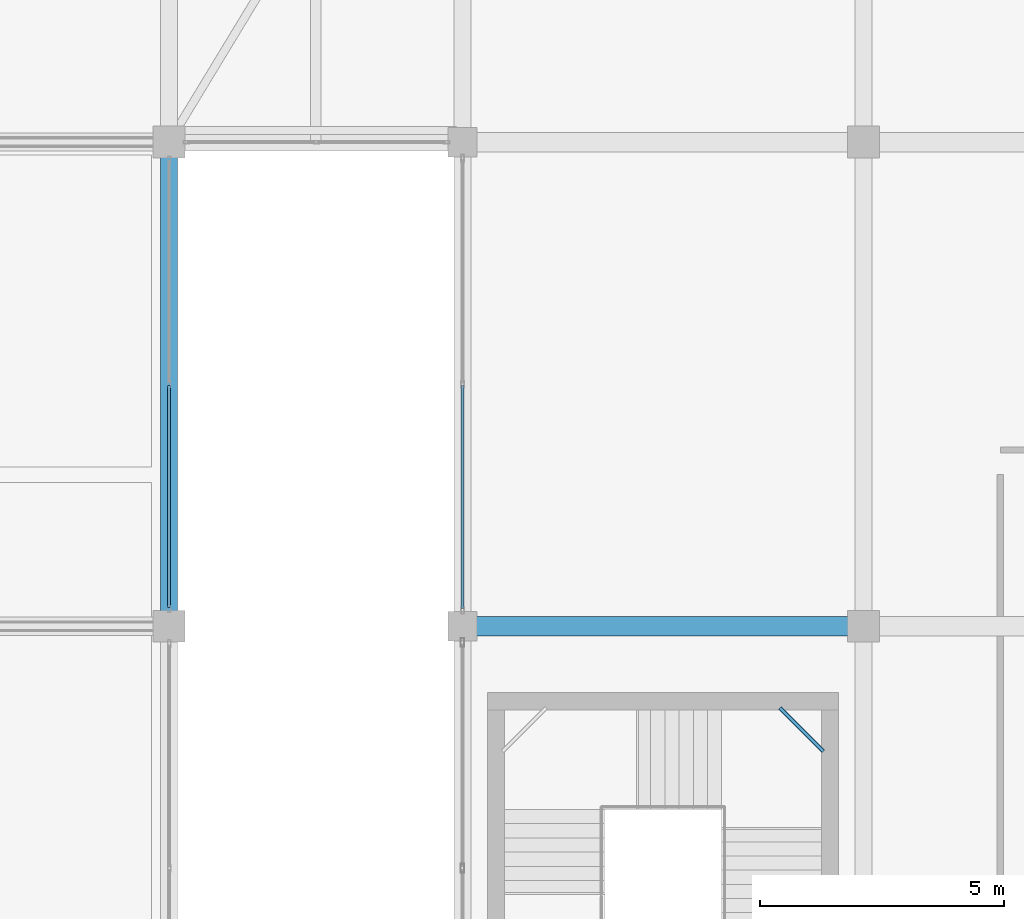
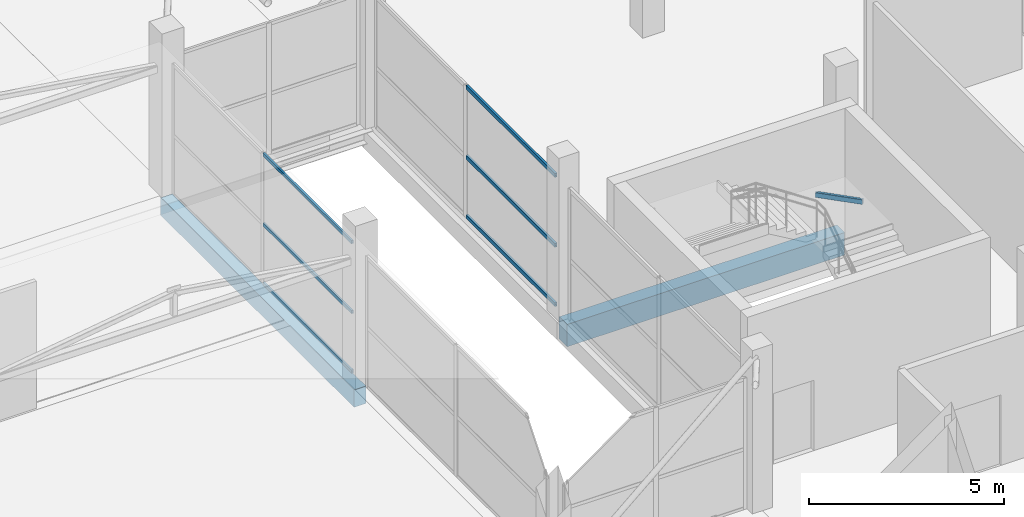
# One storey, part 27 of 58: 6 members, 3 beams, 2 elements without a shape of their own.
"""IFC4 building model written with IfcOpenShell, lengths in metres."""

from ifc_helpers import new_model, si_unit, direction, frame, origin, origin_2d, place, context, subcontext, project, spatial, rectangle, hollow_rectangle, extrude, material, layer, layer_set, material_profile, profile_set, type_object, element, aggregate, save


model = new_model("IFC4")

# Units and contexts
model_context = context("Model", 3, precision=1e-05, world=origin(), true_north=direction((0.0, 1.0)))
body_context = subcontext(model_context, "Body", "Model", "MODEL_VIEW")
ifc_project = project(units=[si_unit("LENGTHUNIT", "METRE"), si_unit("AREAUNIT", "SQUARE_METRE"), si_unit("VOLUMEUNIT", "CUBIC_METRE"), si_unit("PLANEANGLEUNIT", "RADIAN"), si_unit("MASSUNIT", "GRAM", prefix="KILO")], contexts=[model_context])

# Site, building, storey
site_placement = place(None, origin())
site = spatial("IfcSite", under=ifc_project, at=site_placement, CompositionType="ELEMENT")
building_placement = place(site_placement, origin())
building = spatial("IfcBuilding", under=site, at=building_placement, Name="Sillaruma Civic Art Gallery", CompositionType="ELEMENT")
storey_placement = place(building_placement, frame((0.0, 0.0, 52.02001953125)))
storey = spatial("IfcBuildingStorey", under=building, at=storey_placement, Name="L10", CompositionType="ELEMENT", Elevation=52.02001953125)

# Beams
ifc_material_1 = material(Name="Concrete H35 (35 MPa)", Category="concrete")
ifc_material_profile_1 = material_profile(ifc_material_1, rectangle(XDim=0.39990234375, YDim=0.699951171875, at=origin_2d()), Name="RCB400x700")
ifc_profile_set_1 = profile_set([ifc_material_profile_1], Name="Concrete H35 (35 MPa)")
beam_type_1 = type_object("IfcBeamType", Name="BM-BEAM-RCB400x700", PredefinedType="BEAM", material=ifc_profile_set_1)
beam_1_placement = place(storey_placement, frame((98.0, 59.39990234375, -0.60009765625), z_axis=(1.0, 0.0, 0.0), x_axis=(0.0, 1.0, 0.0)))
element("IfcBeam", 1, at=beam_1_placement, inside=storey, type_object=beam_type_1, Name="Beam BM-04 (L09:7:L-M)", PredefinedType="BEAM", context=body_context, shape_type="SweptSolid", body=[
    extrude(rectangle(XDim=0.39990234375, YDim=0.699951171875, at=origin_2d()), origin(), (0.0, 0.0, 1.0), 8.199951171875),
])
ifc_material_2 = material(Name="Structural Steel ASTM A500 Gr.C", Category="steel")
ifc_material_profile_2 = material_profile(ifc_material_2, hollow_rectangle(XDim=0.080078125, YDim=0.159912109375, WallThickness=0.008056640625, InnerFilletRadius=0.008056640625, OuterFilletRadius=0.01611328125, at=origin_2d()), Name="HSS160x80x8")
ifc_profile_set_2 = profile_set([ifc_material_profile_2], Name="Structural Steel ASTM A500 Gr.C")
beam_type_2 = type_object("IfcBeamType", Name="BM-LND-HSS160", PredefinedType="BEAM", material=ifc_profile_set_2)
beam_2_placement = place(storey_placement, frame((104.489990234375, 57.72998046875, 2.43994140625), z_axis=(0.707106781187, -0.707106781187, 0.0), x_axis=(0.707106781187, 0.707106781187, 0.0)))
element("IfcBeam", 2, at=beam_2_placement, inside=storey, type_object=beam_type_2, Name="Stair Corner Landing Trimmer Beam (ST-04-L10-2)", PredefinedType="BEAM", context=body_context, shape_type="SweptSolid", body=[
    extrude(hollow_rectangle(XDim=0.080078125, YDim=0.159912109375, WallThickness=0.008056640625, InnerFilletRadius=0.008056640625, OuterFilletRadius=0.01611328125, at=origin_2d()), origin(), (0.0, 0.0, 1.0), 1.258544921875),
])
ifc_material_profile_3 = material_profile(ifc_material_1, rectangle(XDim=0.35009765625, YDim=0.550048828125, at=origin_2d()), Name="RCB350x550")
ifc_profile_set_3 = profile_set([ifc_material_profile_3], Name="Concrete H35 (35 MPa)")
beam_type_3 = type_object("IfcBeamType", Name="BM-SPANDREL-RCB350x550", PredefinedType="SPANDREL", material=ifc_profile_set_3)
beam_3_placement = place(storey_placement, frame((92.0, 59.39990234375, -0.52490234375), z_axis=(0.0, 1.0, 0.0), x_axis=(-1.0, 0.0, 0.0)))
element("IfcBeam", 3, at=beam_3_placement, inside=storey, type_object=beam_type_3, Name="Beam BS-04 (L09:K:7-8)", PredefinedType="SPANDREL", context=body_context, shape_type="SweptSolid", body=[
    extrude(rectangle(XDim=0.35009765625, YDim=0.550048828125, at=origin_2d()), origin(), (0.0, 0.0, 1.0), 9.900146484375),
])

# Curtain wall, members
ifc_material_3 = material(Name="Thermally Broken Extruded Aluminium 6063-T6", Category="aluminium")
ifc_layer_1 = layer(ifc_material_3, 0.139892578125, Name="Thermally Broken Extruded Aluminium 6063-T6")
ifc_layer_set_1 = layer_set([ifc_layer_1], Name="Thermally Broken Extruded Aluminium 6063-T6")
curtain_wall_type_1 = type_object("IfcCurtainWallType", Name="CW-UNI-71", PredefinedType="NOTDEFINED", material=ifc_layer_set_1)
curtain_wall_1_placement = place(storey_placement, origin())
curtain_wall_1 = element("IfcCurtainWall", 4, at=curtain_wall_1_placement, inside=storey, type_object=curtain_wall_type_1, Name="Unitised Curtain Wall CW-71 (CW-L10-WBE-5)", PredefinedType="NOTDEFINED")
ifc_material_profile_4 = material_profile(ifc_material_3, hollow_rectangle(XDim=0.06005859375, YDim=0.10009765625, WallThickness=0.003173828125, at=origin_2d()), Name="CWT60x100")
ifc_profile_set_4 = profile_set([ifc_material_profile_4], Name="Thermally Broken Extruded Aluminium 6063-T6")
member_type_1 = type_object("IfcMemberType", Name="MEM-TRN-CWT60x100", PredefinedType="USERDEFINED", material=ifc_profile_set_4)
member_1_placement = place(storey_placement, frame((92.0, 59.784912109375, 0.030029296875), z_axis=(0.0, 1.0, 0.0), x_axis=(-1.0, 0.0, 0.0)))
member_1 = element("IfcMember", 5, at=member_1_placement, type_object=member_type_1, Name="CW-71 transom 1.1", ObjectType="TRANSOM", PredefinedType="USERDEFINED", context=body_context, shape_type="SweptSolid", body=[
    extrude(hollow_rectangle(XDim=0.06005859375, YDim=0.10009765625, WallThickness=0.003173828125, at=origin_2d()), origin(), (0.0, 0.0, 1.0), 4.53515625),
])
member_2_placement = place(storey_placement, frame((92.0, 59.784912109375, 1.885986328125), z_axis=(0.0, 1.0, 0.0), x_axis=(-1.0, 0.0, 0.0)))
member_2 = element("IfcMember", 6, at=member_2_placement, type_object=member_type_1, Name="CW-71 transom 1.2", ObjectType="TRANSOM", PredefinedType="USERDEFINED", context=body_context, shape_type="SweptSolid", body=[
    extrude(hollow_rectangle(XDim=0.06005859375, YDim=0.10009765625, WallThickness=0.003173828125, at=origin_2d()), origin(), (0.0, 0.0, 1.0), 4.53515625),
])
member_3_placement = place(storey_placement, frame((92.0, 59.784912109375, 4.070068359375), z_axis=(0.0, 1.0, 0.0), x_axis=(-1.0, 0.0, 0.0)))
member_3 = element("IfcMember", 7, at=member_3_placement, type_object=member_type_1, Name="CW-71 transom 1.3", ObjectType="TRANSOM", PredefinedType="USERDEFINED", context=body_context, shape_type="SweptSolid", body=[
    extrude(hollow_rectangle(XDim=0.06005859375, YDim=0.10009765625, WallThickness=0.003173828125, at=origin_2d()), origin(), (0.0, 0.0, 1.0), 4.53515625),
])
aggregate(curtain_wall_1, [member_1, member_2, member_3])

ifc_layer_2 = layer(ifc_material_3, 0.159912109375, Name="Thermally Broken Extruded Aluminium 6063-T6")
ifc_layer_set_2 = layer_set([ifc_layer_2], Name="Thermally Broken Extruded Aluminium 6063-T6")
curtain_wall_type_2 = type_object("IfcCurtainWallType", Name="CW-UNI-80", PredefinedType="NOTDEFINED", material=ifc_layer_set_2)
curtain_wall_2_placement = place(storey_placement, origin())
curtain_wall_2 = element("IfcCurtainWall", 8, at=curtain_wall_2_placement, inside=storey, type_object=curtain_wall_type_2, Name="Unitised Curtain Wall CW-80 (CW-L10-EBW-5)", PredefinedType="NOTDEFINED")
ifc_material_profile_5 = material_profile(ifc_material_3, hollow_rectangle(XDim=0.06494140625, YDim=0.1201171875, WallThickness=0.00341796875, at=origin_2d()), Name="CWT65x120")
ifc_profile_set_5 = profile_set([ifc_material_profile_5], Name="Thermally Broken Extruded Aluminium 6063-T6")
member_type_2 = type_object("IfcMemberType", Name="MEM-TRN-CWT65x120", PredefinedType="USERDEFINED", material=ifc_profile_set_5)
member_4_placement = place(storey_placement, frame((98.0, 59.764892578125, 0.032470703125), z_axis=(0.0, 1.0, 0.0), x_axis=(-1.0, 0.0, 0.0)))
member_4 = element("IfcMember", 9, at=member_4_placement, type_object=member_type_2, Name="CW-80 transom 1.1", ObjectType="TRANSOM", PredefinedType="USERDEFINED", context=body_context, shape_type="SweptSolid", body=[
    extrude(hollow_rectangle(XDim=0.06494140625, YDim=0.1201171875, WallThickness=0.00341796875, at=origin_2d()), origin(), (0.0, 0.0, 1.0), 4.552490234375),
])
member_5_placement = place(storey_placement, frame((98.0, 59.764892578125, 1.885986328125), z_axis=(0.0, 1.0, 0.0), x_axis=(-1.0, 0.0, 0.0)))
member_5 = element("IfcMember", 10, at=member_5_placement, type_object=member_type_2, Name="CW-80 transom 1.2", ObjectType="TRANSOM", PredefinedType="USERDEFINED", context=body_context, shape_type="SweptSolid", body=[
    extrude(hollow_rectangle(XDim=0.06494140625, YDim=0.1201171875, WallThickness=0.00341796875, at=origin_2d()), origin(), (0.0, 0.0, 1.0), 4.552490234375),
])
member_6_placement = place(storey_placement, frame((98.0, 59.764892578125, 4.0673828125), z_axis=(0.0, 1.0, 0.0), x_axis=(-1.0, 0.0, 0.0)))
member_6 = element("IfcMember", 11, at=member_6_placement, type_object=member_type_2, Name="CW-80 transom 1.3", ObjectType="TRANSOM", PredefinedType="USERDEFINED", context=body_context, shape_type="SweptSolid", body=[
    extrude(hollow_rectangle(XDim=0.06494140625, YDim=0.1201171875, WallThickness=0.00341796875, at=origin_2d()), origin(), (0.0, 0.0, 1.0), 4.552490234375),
])
aggregate(curtain_wall_2, [member_4, member_5, member_6])

save(model, "model.ifc")
